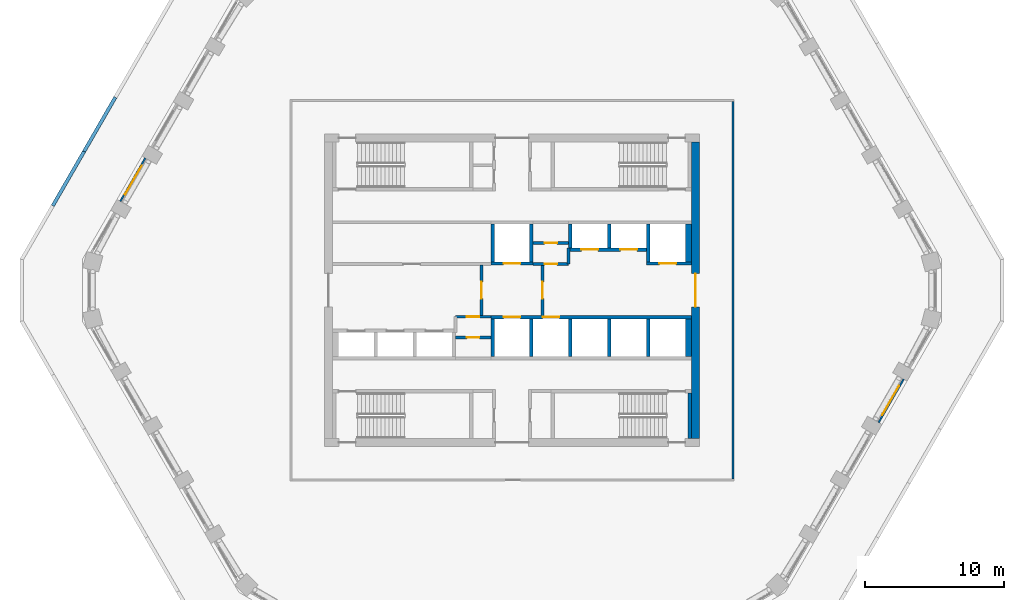
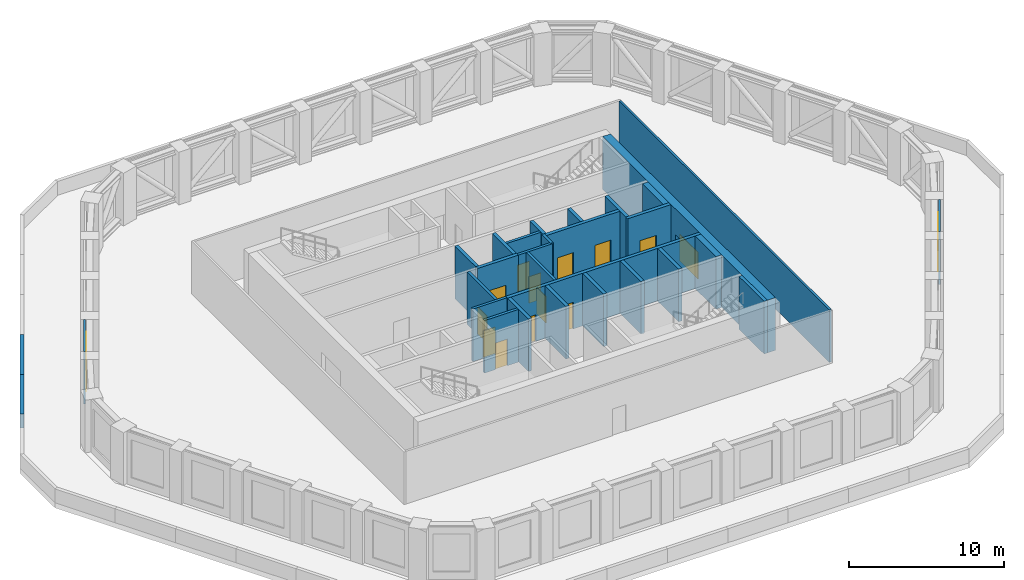
# One storey, part 5 of 14: 30 walls, 13 doors, 2 windows, 15 openings.
"""IFC4 building model written with IfcOpenShell, lengths in metres."""

from ifc_helpers import new_model, si_unit, direction, frame, frame_2d, origin, place, context, subcontext, project, spatial, polyline, rectangle, outline, extrude, material, layer, layer_set, type_object, element, fill, save


model = new_model("IFC4")

# Units and contexts
model_context = context("Model", 3, precision=1e-05, world=origin(), true_north=direction((0.0, 1.0)))
body_context = subcontext(model_context, "Body", "Model", "MODEL_VIEW")
ifc_project = project(units=[si_unit("LENGTHUNIT", "METRE"), si_unit("AREAUNIT", "SQUARE_METRE"), si_unit("VOLUMEUNIT", "CUBIC_METRE"), si_unit("PLANEANGLEUNIT", "RADIAN"), si_unit("MASSUNIT", "GRAM", prefix="KILO")], contexts=[model_context])

# Site, building, storey
site_placement = place(None, origin())
site = spatial("IfcSite", under=ifc_project, at=site_placement, CompositionType="ELEMENT")
building_placement = place(site_placement, origin())
building = spatial("IfcBuilding", under=site, at=building_placement, Name="Dhurran Vertical Campus", CompositionType="ELEMENT")
storey_placement = place(building_placement, frame((0.0, 0.0, 179.39990234375)))
storey = spatial("IfcBuildingStorey", under=building, at=storey_placement, Name="L44 Plant", CompositionType="ELEMENT", Elevation=179.39990234375)

# Wall, opening, window
ifc_material_1 = material(Name="Precast concrete C50/60", Category="concrete")
ifc_layer_1 = layer(ifc_material_1, 0.1201171875)
ifc_layer_set_1 = layer_set([ifc_layer_1], Name="Precast concrete C50/60")
wall_type_1 = type_object("IfcWallType", Name="Precast louvre-bay panel 120", PredefinedType="SOLIDWALL", material=ifc_layer_set_1)
wall_1_placement = place(storey_placement, frame((26.379638671875, -9.513916015625, 0.0), z_axis=(0.0, 0.0, 1.0), x_axis=(0.500027802648, 0.866009351323, 0.0)))
wall_1 = element("IfcWall", 1, at=wall_1_placement, inside=storey, type_object=wall_type_1, Name="EW4 L44.11", PredefinedType="SOLIDWALL", context=body_context, shape_type="SweptSolid", body=[
    extrude(rectangle(XDim=3.598876953125, YDim=0.1201171875, at=frame_2d((1.79931640625, 0.0))), origin(), (0.0, 0.0, 1.0), 4.150146484375),
])
opening_1_placement = place(wall_1_placement, frame((0.599609375, 0.0, 0.60009765625)))
opening_1 = element("IfcOpeningElement", 2, at=opening_1_placement, cuts=wall_1, Name="Opening WT4", PredefinedType="OPENING", context=body_context, shape_type="SweptSolid", body=[
    extrude(rectangle(XDim=2.39990234375, YDim=3.0, at=frame_2d((1.199951171875, 1.5))), frame((0.0, 0.070068359375, 0.0), z_axis=(0.0, -1.0, 0.0), x_axis=(1.0, 0.0, 0.0)), (0.0, 0.0, 1.0), 0.14013671875),
])
ifc_material_2 = material(Name="Aluminium louvre", Category="aluminium")
window_type = type_object("IfcWindowType", Name="Louvred plant vent 2400 x 3000", PartitioningType="SINGLE_PANEL", PredefinedType="WINDOW", material=ifc_material_2)
window_1_placement = place(opening_1_placement, origin())
window_1 = element("IfcWindow", 3, at=window_1_placement, inside=storey, type_object=window_type, Name="WT4 L44.11", OverallHeight=3.0, OverallWidth=2.39990234375, PartitioningType="SINGLE_PANEL", PredefinedType="WINDOW", context=body_context, shape_type="SweptSolid", body=[
    extrude(rectangle(XDim=2.39990234375, YDim=3.0, at=frame_2d((1.199951171875, 1.5))), frame((0.0, 0.06005859375, 0.0), z_axis=(0.0, -1.0, 0.0), x_axis=(1.0, 0.0, 0.0)), (0.0, 0.0, 1.0), 0.02001953125),
])
fill(opening_1, window_1)

wall_2_placement = place(storey_placement, frame((-26.379638671875, 9.513916015625, 0.0), z_axis=(0.0, 0.0, 1.0), x_axis=(-0.500027802648, -0.866009351323, 0.0)))
wall_2 = element("IfcWall", 4, at=wall_2_placement, inside=storey, type_object=wall_type_1, Name="EW4 L44.31", PredefinedType="SOLIDWALL", context=body_context, shape_type="SweptSolid", body=[
    extrude(rectangle(XDim=3.598876953125, YDim=0.1201171875, at=frame_2d((1.79931640625, 0.0))), origin(), (0.0, 0.0, 1.0), 4.150146484375),
])
opening_2_placement = place(wall_2_placement, frame((0.599609375, 0.0, 0.60009765625)))
opening_2 = element("IfcOpeningElement", 5, at=opening_2_placement, cuts=wall_2, Name="Opening WT4", PredefinedType="OPENING", context=body_context, shape_type="SweptSolid", body=[
    extrude(rectangle(XDim=2.39990234375, YDim=3.0, at=frame_2d((1.199951171875, 1.5))), frame((0.0, 0.070068359375, 0.0), z_axis=(0.0, -1.0, 0.0), x_axis=(1.0, 0.0, 0.0)), (0.0, 0.0, 1.0), 0.14013671875),
])
window_2_placement = place(opening_2_placement, origin())
window_2 = element("IfcWindow", 6, at=window_2_placement, inside=storey, type_object=window_type, Name="WT4 L44.31", OverallHeight=3.0, OverallWidth=2.39990234375, PartitioningType="SINGLE_PANEL", PredefinedType="WINDOW", context=body_context, shape_type="SweptSolid", body=[
    extrude(rectangle(XDim=2.39990234375, YDim=3.0, at=frame_2d((1.199951171875, 1.5))), frame((0.0, 0.06005859375, 0.0), z_axis=(0.0, -1.0, 0.0), x_axis=(1.0, 0.0, 0.0)), (0.0, 0.0, 1.0), 0.02001953125),
])
fill(opening_2, window_2)

# Walls
ifc_material_3 = material(Name="Precast concrete C50/60", Category="concrete")
ifc_layer_2 = layer(ifc_material_3, 0.25)
ifc_layer_set_2 = layer_set([ifc_layer_2], Name="Precast concrete C50/60")
wall_type_2 = type_object("IfcWallType", Name="Precast parapet 250", PredefinedType="PARAPET", material=ifc_layer_set_2)
wall_3_placement = place(storey_placement, origin())
element("IfcWall", 7, at=wall_3_placement, inside=storey, type_object=wall_type_2, Name="PW1 L44.35", PredefinedType="PARAPET", context=body_context, shape_type="SweptSolid", body=[
    extrude(outline(polyline([(-28.647216796875, 13.94140625), (-30.897216796875, 10.044189453125), (-30.6806640625, 9.919189453125), (-28.4306640625, 13.81640625), (-28.647216796875, 13.94140625)])), origin(), (0.0, 0.0, 1.0), 1.10009765625),
])
wall_4_placement = place(storey_placement, origin())
element("IfcWall", 8, at=wall_4_placement, inside=storey, type_object=wall_type_2, Name="PW1 L44.36", PredefinedType="PARAPET", context=body_context, shape_type="SweptSolid", body=[
    extrude(outline(polyline([(-30.897216796875, 10.044189453125), (-33.147216796875, 6.147216796875), (-32.9306640625, 6.022216796875), (-30.6806640625, 9.919189453125), (-30.897216796875, 10.044189453125)])), origin(), (0.0, 0.0, 1.0), 1.10009765625),
])

# Wall, opening, door
ifc_material_4 = material(Name="Concrete C50/60", Category="concrete")
ifc_layer_3 = layer(ifc_material_4, 0.60009765625)
ifc_layer_set_3 = layer_set([ifc_layer_3], Name="Concrete C50/60")
wall_type_3 = type_object("IfcWallType", Name="co-CORE-WALL-C2-600", PredefinedType="SHEAR", material=ifc_layer_set_3)
wall_5_placement = place(storey_placement, frame((13.199951171875, -10.64990234375, 0.0), z_axis=(0.0, 0.0, 1.0), x_axis=(0.0, 1.0, 0.0)))
wall_5 = element("IfcWall", 9, at=wall_5_placement, inside=storey, type_object=wall_type_3, Name="Core wall E L44", PredefinedType="SHEAR", context=body_context, shape_type="SweptSolid", body=[
    extrude(rectangle(XDim=21.2998046875, YDim=0.60009765625, at=frame_2d((10.64990234375, 0.0))), origin(), (0.0, 0.0, 1.0), 4.150146484375),
])
opening_3_placement = place(wall_5_placement, frame((9.449951171875, 0.0, 0.0)))
opening_3 = element("IfcOpeningElement", 10, at=opening_3_placement, cuts=wall_5, Name="Opening CL2", PredefinedType="OPENING", context=body_context, shape_type="SweptSolid", body=[
    extrude(rectangle(XDim=2.39990234375, YDim=2.10009765625, at=frame_2d((1.199951171875, 1.050048828125))), frame((0.0, 0.31005859375, 0.0), z_axis=(0.0, -1.0, 0.0), x_axis=(1.0, 0.0, 0.0)), (0.0, 0.0, 1.0), 0.6201171875),
])
ifc_material_5 = material(Name="Fire-rated glazed door set")
door_type_1 = type_object("IfcDoorType", Name="co-D-LOBBY 2400x2100", OperationType="DOUBLE_DOOR_DOUBLE_SWING", PredefinedType="DOOR", material=ifc_material_5)
door_1_placement = place(opening_3_placement, origin())
door_1 = element("IfcDoor", 11, at=door_1_placement, inside=storey, type_object=door_type_1, Name="Lift lobby door E L44", OperationType="DOUBLE_DOOR_DOUBLE_SWING", OverallHeight=2.10009765625, OverallWidth=2.39990234375, PredefinedType="DOOR", context=body_context, shape_type="SweptSolid", body=[
    extrude(rectangle(XDim=2.39990234375, YDim=2.10009765625, at=frame_2d((1.199951171875, 1.050048828125))), frame((0.0, 0.02490234375, 0.0), z_axis=(0.0, -1.0, 0.0), x_axis=(1.0, 0.0, 0.0)), (0.0, 0.0, 1.0), 0.050048828125),
])
fill(opening_3, door_1)

ifc_material_6 = material(Name="Fire-rated masonry blockwork", Category="masonry")
ifc_layer_4 = layer(ifc_material_6, 0.199951171875)
ifc_layer_set_4 = layer_set([ifc_layer_4], Name="Fire-rated masonry blockwork")
wall_type_4 = type_object("IfcWallType", Name="co-FIRE-PARTITION-200", PredefinedType="PARTITIONING", material=ifc_layer_set_4)
wall_6_placement = place(storey_placement, frame((-2.199951171875, -1.800048828125, 0.0), z_axis=(0.0, 0.0, 1.0), x_axis=(0.0, 1.0, 0.0)))
wall_6 = element("IfcWall", 12, at=wall_6_placement, inside=storey, type_object=wall_type_4, Name="Firefighting lobby wall W L44", PredefinedType="PARTITIONING", context=body_context, shape_type="SweptSolid", body=[
    extrude(rectangle(XDim=3.60009765625, YDim=0.199951171875, at=frame_2d((1.800048828125, 0.0))), origin(), (0.0, 0.0, 1.0), 4.150146484375),
])
opening_4_placement = place(wall_6_placement, frame((1.199951171875, 0.0, 0.0)))
opening_4 = element("IfcOpeningElement", 13, at=opening_4_placement, cuts=wall_6, Name="Opening FL1", PredefinedType="OPENING", context=body_context, shape_type="SweptSolid", body=[
    extrude(rectangle(XDim=1.199951171875, YDim=2.10009765625, at=frame_2d((0.60009765625, 1.050048828125))), frame((0.0, 0.10986328125, 0.0), z_axis=(0.0, -1.0, 0.0), x_axis=(1.0, 0.0, 0.0)), (0.0, 0.0, 1.0), 0.219970703125),
])
ifc_material_7 = material(Name="Fire-rated steel door set", Category="steel")
door_type_2 = type_object("IfcDoorType", Name="co-D-FFLOBBY 1200x2100", OperationType="SINGLE_SWING_LEFT", PredefinedType="DOOR", material=ifc_material_7)
door_2_placement = place(opening_4_placement, origin())
door_2 = element("IfcDoor", 14, at=door_2_placement, inside=storey, type_object=door_type_2, Name="Firefighting lobby door W L44", OperationType="SINGLE_SWING_LEFT", OverallHeight=2.10009765625, OverallWidth=1.199951171875, PredefinedType="DOOR", context=body_context, shape_type="SweptSolid", body=[
    extrude(rectangle(XDim=1.199951171875, YDim=2.10009765625, at=frame_2d((0.60009765625, 1.050048828125))), frame((0.0, 0.02490234375, 0.0), z_axis=(0.0, -1.0, 0.0), x_axis=(1.0, 0.0, 0.0)), (0.0, 0.0, 1.0), 0.050048828125),
])
fill(opening_4, door_2)

wall_7_placement = place(storey_placement, frame((2.199951171875, -1.800048828125, 0.0), z_axis=(0.0, 0.0, 1.0), x_axis=(0.0, 1.0, 0.0)))
wall_7 = element("IfcWall", 15, at=wall_7_placement, inside=storey, type_object=wall_type_4, Name="Firefighting lobby wall E L44", PredefinedType="PARTITIONING", context=body_context, shape_type="SweptSolid", body=[
    extrude(rectangle(XDim=3.60009765625, YDim=0.199951171875, at=frame_2d((1.800048828125, 0.0))), origin(), (0.0, 0.0, 1.0), 4.150146484375),
])
opening_5_placement = place(wall_7_placement, frame((1.199951171875, 0.0, 0.0)))
opening_5 = element("IfcOpeningElement", 16, at=opening_5_placement, cuts=wall_7, Name="Opening FL2", PredefinedType="OPENING", context=body_context, shape_type="SweptSolid", body=[
    extrude(rectangle(XDim=1.199951171875, YDim=2.10009765625, at=frame_2d((0.60009765625, 1.050048828125))), frame((0.0, 0.10986328125, 0.0), z_axis=(0.0, -1.0, 0.0), x_axis=(1.0, 0.0, 0.0)), (0.0, 0.0, 1.0), 0.219970703125),
])
door_3_placement = place(opening_5_placement, origin())
door_3 = element("IfcDoor", 17, at=door_3_placement, inside=storey, type_object=door_type_2, Name="Firefighting lobby door E L44", OperationType="SINGLE_SWING_LEFT", OverallHeight=2.10009765625, OverallWidth=1.199951171875, PredefinedType="DOOR", context=body_context, shape_type="SweptSolid", body=[
    extrude(rectangle(XDim=1.199951171875, YDim=2.10009765625, at=frame_2d((0.60009765625, 1.050048828125))), frame((0.0, 0.02490234375, 0.0), z_axis=(0.0, -1.0, 0.0), x_axis=(1.0, 0.0, 0.0)), (0.0, 0.0, 1.0), 0.050048828125),
])
fill(opening_5, door_3)

wall_8_placement = place(storey_placement, frame((1.52490234375, 3.39990234375, 0.0), z_axis=(0.0, 0.0, 1.0), x_axis=(1.0, 0.0, 0.0)))
wall_8 = element("IfcWall", 18, at=wall_8_placement, inside=storey, type_object=wall_type_4, Name="Core partition fr-N1-c L44", PredefinedType="PARTITIONING", context=body_context, shape_type="SweptSolid", body=[
    extrude(rectangle(XDim=2.550048828125, YDim=0.199951171875, at=frame_2d((1.27490234375, 0.0))), origin(), (0.0, 0.0, 1.0), 4.150146484375),
])
opening_6_placement = place(wall_8_placement, frame((0.824951171875, 0.0, 0.0)))
opening_6 = element("IfcOpeningElement", 19, at=opening_6_placement, cuts=wall_8, Name="Opening BR44-C7", PredefinedType="OPENING", context=body_context, shape_type="SweptSolid", body=[
    extrude(rectangle(XDim=0.89990234375, YDim=2.10009765625, at=frame_2d((0.449951171875, 1.050048828125))), frame((0.0, 0.10986328125, 0.0), z_axis=(0.0, -1.0, 0.0), x_axis=(1.0, 0.0, 0.0)), (0.0, 0.0, 1.0), 0.219970703125),
])
ifc_material_8 = material(Name="Fire-rated timber door set", Category="wood")
door_type_3 = type_object("IfcDoorType", Name="co-D-ROOM 900x2100", OperationType="SINGLE_SWING_LEFT", PredefinedType="DOOR", material=ifc_material_8)
door_4_placement = place(opening_6_placement, origin())
door_4 = element("IfcDoor", 20, at=door_4_placement, inside=storey, type_object=door_type_3, Name="Server room door L44", OperationType="SINGLE_SWING_LEFT", OverallHeight=2.10009765625, OverallWidth=0.89990234375, PredefinedType="DOOR", context=body_context, shape_type="SweptSolid", body=[
    extrude(rectangle(XDim=0.89990234375, YDim=2.10009765625, at=frame_2d((0.449951171875, 1.050048828125))), frame((0.0, 0.02490234375, 0.0), z_axis=(0.0, -1.0, 0.0), x_axis=(1.0, 0.0, 0.0)), (0.0, 0.0, 1.0), 0.050048828125),
])
fill(opening_6, door_4)

wall_9_placement = place(storey_placement, frame((1.52490234375, 1.89990234375, 0.0), z_axis=(0.0, 0.0, 1.0), x_axis=(1.0, 0.0, 0.0)))
wall_9 = element("IfcWall", 21, at=wall_9_placement, inside=storey, type_object=wall_type_4, Name="Core partition fr-N1-f L44", PredefinedType="PARTITIONING", context=body_context, shape_type="SweptSolid", body=[
    extrude(rectangle(XDim=2.550048828125, YDim=0.199951171875, at=frame_2d((1.27490234375, 0.0))), origin(), (0.0, 0.0, 1.0), 4.150146484375),
])
opening_7_placement = place(wall_9_placement, frame((0.824951171875, 0.0, 0.0)))
opening_7 = element("IfcOpeningElement", 22, at=opening_7_placement, cuts=wall_9, Name="Opening BR44-C8", PredefinedType="OPENING", context=body_context, shape_type="SweptSolid", body=[
    extrude(rectangle(XDim=0.89990234375, YDim=2.10009765625, at=frame_2d((0.449951171875, 1.050048828125))), frame((0.0, 0.10986328125, 0.0), z_axis=(0.0, -1.0, 0.0), x_axis=(1.0, 0.0, 0.0)), (0.0, 0.0, 1.0), 0.219970703125),
])
door_5_placement = place(opening_7_placement, origin())
door_5 = element("IfcDoor", 23, at=door_5_placement, inside=storey, type_object=door_type_3, Name="Cleaner's store door L44", OperationType="SINGLE_SWING_LEFT", OverallHeight=2.10009765625, OverallWidth=0.89990234375, PredefinedType="DOOR", context=body_context, shape_type="SweptSolid", body=[
    extrude(rectangle(XDim=0.89990234375, YDim=2.10009765625, at=frame_2d((0.449951171875, 1.050048828125))), frame((0.0, 0.02490234375, 0.0), z_axis=(0.0, -1.0, 0.0), x_axis=(1.0, 0.0, 0.0)), (0.0, 0.0, 1.0), 0.050048828125),
])
fill(opening_7, door_5)

# Wall
wall_10_placement = place(storey_placement, frame((4.074951171875, 1.89990234375, 0.0), z_axis=(0.0, 0.0, 1.0), x_axis=(0.0, 1.0, 0.0)))
element("IfcWall", 24, at=wall_10_placement, inside=storey, type_object=wall_type_4, Name="Core partition fr-N1-n1 L44", PredefinedType="PARTITIONING", context=body_context, shape_type="SweptSolid", body=[
    extrude(rectangle(XDim=1.150146484375, YDim=0.199951171875, at=frame_2d((0.5751953125, 0.0))), origin(), (0.0, 0.0, 1.0), 4.150146484375),
])

# Wall, opening, door
wall_11_placement = place(storey_placement, frame((-4.074951171875, -3.39990234375, 0.0), z_axis=(0.0, 0.0, 1.0), x_axis=(1.0, 0.0, 0.0)))
wall_11 = element("IfcWall", 25, at=wall_11_placement, inside=storey, type_object=wall_type_4, Name="Core partition fr-S0-c L44", PredefinedType="PARTITIONING", context=body_context, shape_type="SweptSolid", body=[
    extrude(rectangle(XDim=2.550048828125, YDim=0.199951171875, at=frame_2d((1.27490234375, 0.0))), origin(), (0.0, 0.0, 1.0), 4.150146484375),
])
opening_8_placement = place(wall_11_placement, frame((0.824951171875, 0.0, 0.0)))
opening_8 = element("IfcOpeningElement", 26, at=opening_8_placement, cuts=wall_11, Name="Opening BR44-C9", PredefinedType="OPENING", context=body_context, shape_type="SweptSolid", body=[
    extrude(rectangle(XDim=0.89990234375, YDim=2.10009765625, at=frame_2d((0.449951171875, 1.050048828125))), frame((0.0, 0.10986328125, 0.0), z_axis=(0.0, -1.0, 0.0), x_axis=(1.0, 0.0, 0.0)), (0.0, 0.0, 1.0), 0.219970703125),
])
door_6_placement = place(opening_8_placement, origin())
door_6 = element("IfcDoor", 27, at=door_6_placement, inside=storey, type_object=door_type_3, Name="Communications room door L44", OperationType="SINGLE_SWING_LEFT", OverallHeight=2.10009765625, OverallWidth=0.89990234375, PredefinedType="DOOR", context=body_context, shape_type="SweptSolid", body=[
    extrude(rectangle(XDim=0.89990234375, YDim=2.10009765625, at=frame_2d((0.449951171875, 1.050048828125))), frame((0.0, 0.02490234375, 0.0), z_axis=(0.0, -1.0, 0.0), x_axis=(1.0, 0.0, 0.0)), (0.0, 0.0, 1.0), 0.050048828125),
])
fill(opening_8, door_6)

wall_12_placement = place(storey_placement, frame((-4.074951171875, -1.89990234375, 0.0), z_axis=(0.0, 0.0, 1.0), x_axis=(1.0, 0.0, 0.0)))
wall_12 = element("IfcWall", 28, at=wall_12_placement, inside=storey, type_object=wall_type_4, Name="Core partition fr-S0-f L44", PredefinedType="PARTITIONING", context=body_context, shape_type="SweptSolid", body=[
    extrude(rectangle(XDim=2.550048828125, YDim=0.199951171875, at=frame_2d((1.27490234375, 0.0))), origin(), (0.0, 0.0, 1.0), 4.150146484375),
])
opening_9_placement = place(wall_12_placement, frame((0.824951171875, 0.0, 0.0)))
opening_9 = element("IfcOpeningElement", 29, at=opening_9_placement, cuts=wall_12, Name="Opening BR44-C10", PredefinedType="OPENING", context=body_context, shape_type="SweptSolid", body=[
    extrude(rectangle(XDim=0.89990234375, YDim=2.10009765625, at=frame_2d((0.449951171875, 1.050048828125))), frame((0.0, 0.10986328125, 0.0), z_axis=(0.0, -1.0, 0.0), x_axis=(1.0, 0.0, 0.0)), (0.0, 0.0, 1.0), 0.219970703125),
])
door_7_placement = place(opening_9_placement, origin())
door_7 = element("IfcDoor", 30, at=door_7_placement, inside=storey, type_object=door_type_3, Name="Housekeeping store door L44", OperationType="SINGLE_SWING_LEFT", OverallHeight=2.10009765625, OverallWidth=0.89990234375, PredefinedType="DOOR", context=body_context, shape_type="SweptSolid", body=[
    extrude(rectangle(XDim=0.89990234375, YDim=2.10009765625, at=frame_2d((0.449951171875, 1.050048828125))), frame((0.0, 0.02490234375, 0.0), z_axis=(0.0, -1.0, 0.0), x_axis=(1.0, 0.0, 0.0)), (0.0, 0.0, 1.0), 0.050048828125),
])
fill(opening_9, door_7)

ifc_material_9 = material(Name="Concrete C50/60", Category="concrete")
ifc_layer_5 = layer(ifc_material_9, 0.25)
ifc_layer_set_5 = layer_set([ifc_layer_5], Name="Concrete C50/60")
wall_type_5 = type_object("IfcWallType", Name="co-SHAFT-FRONT-250", PredefinedType="SHEAR", material=ifc_layer_set_5)
wall_13_placement = place(storey_placement, frame((-1.52490234375, 1.925048828125, 0.0), z_axis=(0.0, 0.0, 1.0), x_axis=(1.0, 0.0, 0.0)))
wall_13 = element("IfcWall", 31, at=wall_13_placement, inside=storey, type_object=wall_type_5, Name="Lift landing wall N L44", PredefinedType="SHEAR", context=body_context, shape_type="SweptSolid", body=[
    extrude(rectangle(XDim=3.0498046875, YDim=0.25, at=frame_2d((1.52490234375, 0.0))), origin(), (0.0, 0.0, 1.0), 4.150146484375),
])
opening_10_placement = place(wall_13_placement, frame((0.925048828125, 0.0, 0.0)))
opening_10 = element("IfcOpeningElement", 32, at=opening_10_placement, cuts=wall_13, Name="Opening LD", PredefinedType="OPENING", context=body_context, shape_type="SweptSolid", body=[
    extrude(rectangle(XDim=1.199951171875, YDim=2.10009765625, at=frame_2d((0.60009765625, 1.050048828125))), frame((0.0, 0.135009765625, 0.0), z_axis=(0.0, -1.0, 0.0), x_axis=(1.0, 0.0, 0.0)), (0.0, 0.0, 1.0), 0.27001953125),
])
ifc_material_10 = material(Name="Stainless steel landing door", Category="steel")
door_type_4 = type_object("IfcDoorType", Name="co-D-LANDING 1200x2100", OperationType="DOUBLE_DOOR_SLIDING", PredefinedType="DOOR", material=ifc_material_10)
door_8_placement = place(opening_10_placement, origin())
door_8 = element("IfcDoor", 33, at=door_8_placement, inside=storey, type_object=door_type_4, Name="Landing door FF1 L44", OperationType="DOUBLE_DOOR_SLIDING", OverallHeight=2.10009765625, OverallWidth=1.199951171875, PredefinedType="DOOR", context=body_context, shape_type="SweptSolid", body=[
    extrude(rectangle(XDim=1.199951171875, YDim=2.10009765625, at=frame_2d((0.60009765625, 1.050048828125))), frame((0.0, 0.02490234375, 0.0), z_axis=(0.0, -1.0, 0.0), x_axis=(1.0, 0.0, 0.0)), (0.0, 0.0, 1.0), 0.050048828125),
])
fill(opening_10, door_8)

# Wall, openings, doors
wall_14_placement = place(storey_placement, frame((4.074951171875, 2.925048828125, 0.0), z_axis=(0.0, 0.0, 1.0), x_axis=(1.0, 0.0, 0.0)))
wall_14 = element("IfcWall", 34, at=wall_14_placement, inside=storey, type_object=wall_type_5, Name="Lift landing wall N L44", PredefinedType="SHEAR", context=body_context, shape_type="SweptSolid", body=[
    extrude(rectangle(XDim=5.85009765625, YDim=0.25, at=frame_2d((2.925048828125, 0.0))), origin(), (0.0, 0.0, 1.0), 4.150146484375),
])
opening_11_placement = place(wall_14_placement, frame((0.925048828125, 0.0, 0.0)))
opening_11 = element("IfcOpeningElement", 35, at=opening_11_placement, cuts=wall_14, Name="Opening LD", PredefinedType="OPENING", context=body_context, shape_type="SweptSolid", body=[
    extrude(rectangle(XDim=1.199951171875, YDim=2.10009765625, at=frame_2d((0.60009765625, 1.050048828125))), frame((0.0, 0.135009765625, 0.0), z_axis=(0.0, -1.0, 0.0), x_axis=(1.0, 0.0, 0.0)), (0.0, 0.0, 1.0), 0.27001953125),
])
opening_12_placement = place(wall_14_placement, frame((3.72509765625, 0.0, 0.0)))
opening_12 = element("IfcOpeningElement", 36, at=opening_12_placement, cuts=wall_14, Name="Opening LD", PredefinedType="OPENING", context=body_context, shape_type="SweptSolid", body=[
    extrude(rectangle(XDim=1.199951171875, YDim=2.10009765625, at=frame_2d((0.60009765625, 1.050048828125))), frame((0.0, 0.135009765625, 0.0), z_axis=(0.0, -1.0, 0.0), x_axis=(1.0, 0.0, 0.0)), (0.0, 0.0, 1.0), 0.27001953125),
])
door_9_placement = place(opening_11_placement, origin())
door_9 = element("IfcDoor", 37, at=door_9_placement, inside=storey, type_object=door_type_4, Name="Landing door MR1 L44", OperationType="DOUBLE_DOOR_SLIDING", OverallHeight=2.10009765625, OverallWidth=1.199951171875, PredefinedType="DOOR", context=body_context, shape_type="SweptSolid", body=[
    extrude(rectangle(XDim=1.199951171875, YDim=2.10009765625, at=frame_2d((0.60009765625, 1.050048828125))), frame((0.0, 0.02490234375, 0.0), z_axis=(0.0, -1.0, 0.0), x_axis=(1.0, 0.0, 0.0)), (0.0, 0.0, 1.0), 0.050048828125),
])
fill(opening_11, door_9)
door_10_placement = place(opening_12_placement, origin())
door_10 = element("IfcDoor", 38, at=door_10_placement, inside=storey, type_object=door_type_4, Name="Landing door MR2 L44", OperationType="DOUBLE_DOOR_SLIDING", OverallHeight=2.10009765625, OverallWidth=1.199951171875, PredefinedType="DOOR", context=body_context, shape_type="SweptSolid", body=[
    extrude(rectangle(XDim=1.199951171875, YDim=2.10009765625, at=frame_2d((0.60009765625, 1.050048828125))), frame((0.0, 0.02490234375, 0.0), z_axis=(0.0, -1.0, 0.0), x_axis=(1.0, 0.0, 0.0)), (0.0, 0.0, 1.0), 0.050048828125),
])
fill(opening_12, door_10)

# Wall, opening, door
wall_15_placement = place(storey_placement, frame((9.675048828125, 1.925048828125, 0.0), z_axis=(0.0, 0.0, 1.0), x_axis=(1.0, 0.0, 0.0)))
wall_15 = element("IfcWall", 39, at=wall_15_placement, inside=storey, type_object=wall_type_5, Name="Lift landing wall N L44", PredefinedType="SHEAR", context=body_context, shape_type="SweptSolid", body=[
    extrude(rectangle(XDim=3.224853515625, YDim=0.25, at=frame_2d((1.6123046875, 0.0))), origin(), (0.0, 0.0, 1.0), 4.150146484375),
])
opening_13_placement = place(wall_15_placement, frame((0.925048828125, 0.0, 0.0)))
opening_13 = element("IfcOpeningElement", 40, at=opening_13_placement, cuts=wall_15, Name="Opening LD", PredefinedType="OPENING", context=body_context, shape_type="SweptSolid", body=[
    extrude(rectangle(XDim=1.199951171875, YDim=2.10009765625, at=frame_2d((0.60009765625, 1.050048828125))), frame((0.0, 0.135009765625, 0.0), z_axis=(0.0, -1.0, 0.0), x_axis=(1.0, 0.0, 0.0)), (0.0, 0.0, 1.0), 0.27001953125),
])
door_11_placement = place(opening_13_placement, origin())
door_11 = element("IfcDoor", 41, at=door_11_placement, inside=storey, type_object=door_type_4, Name="Landing door SV2 L44", OperationType="DOUBLE_DOOR_SLIDING", OverallHeight=2.10009765625, OverallWidth=1.199951171875, PredefinedType="DOOR", context=body_context, shape_type="SweptSolid", body=[
    extrude(rectangle(XDim=1.199951171875, YDim=2.10009765625, at=frame_2d((0.60009765625, 1.050048828125))), frame((0.0, 0.02490234375, 0.0), z_axis=(0.0, -1.0, 0.0), x_axis=(1.0, 0.0, 0.0)), (0.0, 0.0, 1.0), 0.050048828125),
])
fill(opening_13, door_11)

# Wall, openings, doors
wall_16_placement = place(storey_placement, frame((-1.52490234375, -1.925048828125, 0.0), z_axis=(0.0, 0.0, 1.0), x_axis=(1.0, 0.0, 0.0)))
wall_16 = element("IfcWall", 42, at=wall_16_placement, inside=storey, type_object=wall_type_5, Name="Lift landing wall S L44", PredefinedType="SHEAR", context=body_context, shape_type="SweptSolid", body=[
    extrude(rectangle(XDim=14.4248046875, YDim=0.25, at=frame_2d((7.21240234375, 0.0))), origin(), (0.0, 0.0, 1.0), 4.150146484375),
])
opening_14_placement = place(wall_16_placement, frame((0.925048828125, 0.0, 0.0)))
opening_14 = element("IfcOpeningElement", 43, at=opening_14_placement, cuts=wall_16, Name="Opening LD", PredefinedType="OPENING", context=body_context, shape_type="SweptSolid", body=[
    extrude(rectangle(XDim=1.199951171875, YDim=2.10009765625, at=frame_2d((0.60009765625, 1.050048828125))), frame((0.0, 0.135009765625, 0.0), z_axis=(0.0, -1.0, 0.0), x_axis=(1.0, 0.0, 0.0)), (0.0, 0.0, 1.0), 0.27001953125),
])
opening_15_placement = place(wall_16_placement, frame((3.72509765625, 0.0, 0.0)))
opening_15 = element("IfcOpeningElement", 44, at=opening_15_placement, cuts=wall_16, Name="Opening LD", PredefinedType="OPENING", context=body_context, shape_type="SweptSolid", body=[
    extrude(rectangle(XDim=1.199951171875, YDim=2.10009765625, at=frame_2d((0.60009765625, 1.050048828125))), frame((0.0, 0.135009765625, 0.0), z_axis=(0.0, -1.0, 0.0), x_axis=(1.0, 0.0, 0.0)), (0.0, 0.0, 1.0), 0.27001953125),
])
door_12_placement = place(opening_14_placement, origin())
door_12 = element("IfcDoor", 45, at=door_12_placement, inside=storey, type_object=door_type_4, Name="Landing door FF2 L44", OperationType="DOUBLE_DOOR_SLIDING", OverallHeight=2.10009765625, OverallWidth=1.199951171875, PredefinedType="DOOR", context=body_context, shape_type="SweptSolid", body=[
    extrude(rectangle(XDim=1.199951171875, YDim=2.10009765625, at=frame_2d((0.60009765625, 1.050048828125))), frame((0.0, 0.02490234375, 0.0), z_axis=(0.0, -1.0, 0.0), x_axis=(1.0, 0.0, 0.0)), (0.0, 0.0, 1.0), 0.050048828125),
])
fill(opening_14, door_12)
door_13_placement = place(opening_15_placement, origin())
door_13 = element("IfcDoor", 46, at=door_13_placement, inside=storey, type_object=door_type_4, Name="Landing door SV1 L44", OperationType="DOUBLE_DOOR_SLIDING", OverallHeight=2.10009765625, OverallWidth=1.199951171875, PredefinedType="DOOR", context=body_context, shape_type="SweptSolid", body=[
    extrude(rectangle(XDim=1.199951171875, YDim=2.10009765625, at=frame_2d((0.60009765625, 1.050048828125))), frame((0.0, 0.02490234375, 0.0), z_axis=(0.0, -1.0, 0.0), x_axis=(1.0, 0.0, 0.0)), (0.0, 0.0, 1.0), 0.050048828125),
])
fill(opening_15, door_13)

# Walls
ifc_material_11 = material(Name="Concrete C50/60", Category="concrete")
ifc_layer_6 = layer(ifc_material_11, 0.25)
ifc_layer_set_6 = layer_set([ifc_layer_6], Name="Concrete C50/60")
wall_type_6 = type_object("IfcWallType", Name="co-SHAFT-MASS-250", PredefinedType="SHEAR", material=ifc_layer_set_6)
wall_17_placement = place(storey_placement, origin())
element("IfcWall", 47, at=wall_17_placement, inside=storey, type_object=wall_type_6, Name="Lift shaft wall N L44 3", PredefinedType="SHEAR", context=body_context, shape_type="SweptSolid", body=[
    extrude(outline(polyline([(-1.52490234375, 2.050048828125), (-1.27490234375, 2.050048828125), (-1.27490234375, 4.75), (-1.52490234375, 4.75), (-1.52490234375, 2.050048828125)])), origin(), (0.0, 0.0, 1.0), 4.150146484375),
])
wall_18_placement = place(storey_placement, origin())
element("IfcWall", 48, at=wall_18_placement, inside=storey, type_object=wall_type_6, Name="Lift shaft wall N L44 4", PredefinedType="SHEAR", context=body_context, shape_type="SweptSolid", body=[
    extrude(outline(polyline([(1.27490234375, 2.050048828125), (1.52490234375, 2.050048828125), (1.52490234375, 4.75), (1.27490234375, 4.75), (1.27490234375, 2.050048828125)])), origin(), (0.0, 0.0, 1.0), 4.150146484375),
])
wall_19_placement = place(storey_placement, origin())
element("IfcWall", 49, at=wall_19_placement, inside=storey, type_object=wall_type_6, Name="Lift shaft wall N L44 5", PredefinedType="SHEAR", context=body_context, shape_type="SweptSolid", body=[
    extrude(outline(polyline([(9.675048828125, 2.050048828125), (9.925048828125, 2.050048828125), (9.925048828125, 4.75), (9.675048828125, 4.75), (9.675048828125, 2.050048828125)])), origin(), (0.0, 0.0, 1.0), 4.150146484375),
])
wall_20_placement = place(storey_placement, origin())
element("IfcWall", 50, at=wall_20_placement, inside=storey, type_object=wall_type_6, Name="Lift shaft wall N L44 6", PredefinedType="SHEAR", context=body_context, shape_type="SweptSolid", body=[
    extrude(outline(polyline([(12.47509765625, 2.050048828125), (12.89990234375, 2.050048828125), (12.89990234375, 4.75), (12.47509765625, 4.75), (12.47509765625, 2.050048828125)])), origin(), (0.0, 0.0, 1.0), 4.150146484375),
])
wall_21_placement = place(storey_placement, origin())
element("IfcWall", 51, at=wall_21_placement, inside=storey, type_object=wall_type_6, Name="Lift shaft wall N L44 7", PredefinedType="SHEAR", context=body_context, shape_type="SweptSolid", body=[
    extrude(outline(polyline([(4.074951171875, 3.050048828125), (4.324951171875, 3.050048828125), (4.324951171875, 4.75), (4.074951171875, 4.75), (4.074951171875, 3.050048828125)])), origin(), (0.0, 0.0, 1.0), 4.150146484375),
])
wall_22_placement = place(storey_placement, origin())
element("IfcWall", 52, at=wall_22_placement, inside=storey, type_object=wall_type_6, Name="Lift shaft wall N L44 8", PredefinedType="SHEAR", context=body_context, shape_type="SweptSolid", body=[
    extrude(outline(polyline([(6.875, 3.050048828125), (7.125, 3.050048828125), (7.125, 4.75), (6.875, 4.75), (6.875, 3.050048828125)])), origin(), (0.0, 0.0, 1.0), 4.150146484375),
])
wall_23_placement = place(storey_placement, origin())
element("IfcWall", 53, at=wall_23_placement, inside=storey, type_object=wall_type_6, Name="Lift shaft wall S L44 7", PredefinedType="SHEAR", context=body_context, shape_type="SweptSolid", body=[
    extrude(outline(polyline([(-1.52490234375, -4.75), (-1.27490234375, -4.75), (-1.27490234375, -2.050048828125), (-1.52490234375, -2.050048828125), (-1.52490234375, -4.75)])), origin(), (0.0, 0.0, 1.0), 4.150146484375),
])
wall_24_placement = place(storey_placement, origin())
element("IfcWall", 54, at=wall_24_placement, inside=storey, type_object=wall_type_6, Name="Lift shaft wall S L44 8", PredefinedType="SHEAR", context=body_context, shape_type="SweptSolid", body=[
    extrude(outline(polyline([(1.27490234375, -4.75), (1.52490234375, -4.75), (1.52490234375, -2.050048828125), (1.27490234375, -2.050048828125), (1.27490234375, -4.75)])), origin(), (0.0, 0.0, 1.0), 4.150146484375),
])
wall_25_placement = place(storey_placement, origin())
element("IfcWall", 55, at=wall_25_placement, inside=storey, type_object=wall_type_6, Name="Lift shaft wall S L44 9", PredefinedType="SHEAR", context=body_context, shape_type="SweptSolid", body=[
    extrude(outline(polyline([(4.074951171875, -4.75), (4.324951171875, -4.75), (4.324951171875, -2.050048828125), (4.074951171875, -2.050048828125), (4.074951171875, -4.75)])), origin(), (0.0, 0.0, 1.0), 4.150146484375),
])
wall_26_placement = place(storey_placement, origin())
element("IfcWall", 56, at=wall_26_placement, inside=storey, type_object=wall_type_6, Name="Lift shaft wall S L44 10", PredefinedType="SHEAR", context=body_context, shape_type="SweptSolid", body=[
    extrude(outline(polyline([(6.875, -4.75), (7.125, -4.75), (7.125, -2.050048828125), (6.875, -2.050048828125), (6.875, -4.75)])), origin(), (0.0, 0.0, 1.0), 4.150146484375),
])
wall_27_placement = place(storey_placement, origin())
element("IfcWall", 57, at=wall_27_placement, inside=storey, type_object=wall_type_6, Name="Lift shaft wall S L44 11", PredefinedType="SHEAR", context=body_context, shape_type="SweptSolid", body=[
    extrude(outline(polyline([(9.675048828125, -4.75), (9.925048828125, -4.75), (9.925048828125, -2.050048828125), (9.675048828125, -2.050048828125), (9.675048828125, -4.75)])), origin(), (0.0, 0.0, 1.0), 4.150146484375),
])
wall_28_placement = place(storey_placement, origin())
element("IfcWall", 58, at=wall_28_placement, inside=storey, type_object=wall_type_6, Name="Lift shaft wall S L44 12", PredefinedType="SHEAR", context=body_context, shape_type="SweptSolid", body=[
    extrude(outline(polyline([(12.47509765625, -4.75), (12.89990234375, -4.75), (12.89990234375, -2.050048828125), (12.47509765625, -2.050048828125), (12.47509765625, -4.75)])), origin(), (0.0, 0.0, 1.0), 4.150146484375),
])
ifc_material_12 = material(Name="Concrete C40/50", Category="concrete")
ifc_layer_7 = layer(ifc_material_12, 0.25)
ifc_layer_set_7 = layer_set([ifc_layer_7], Name="Concrete C40/50")
wall_type_7 = type_object("IfcWallType", Name="co-STAIR-WALL-250", PredefinedType="SHEAR", material=ifc_layer_set_7)
wall_29_placement = place(storey_placement, frame((12.77490234375, -10.64990234375, 0.0), z_axis=(0.0, 0.0, 1.0), x_axis=(0.0, 1.0, 0.0)))
element("IfcWall", 59, at=wall_29_placement, inside=storey, type_object=wall_type_7, Name="Stair ST4 enclosure wall L44", PredefinedType="SHEAR", context=body_context, shape_type="SweptSolid", body=[
    extrude(rectangle(XDim=3.25, YDim=0.25, at=frame_2d((1.625, 0.0))), origin(), (0.0, 0.0, 1.0), 4.150146484375),
])
ifc_material_13 = material(Name="Gypsum board corridor wall on steel studs", Category="steel")
ifc_layer_8 = layer(ifc_material_13, 0.14990234375)
ifc_layer_set_8 = layer_set([ifc_layer_8], Name="Gypsum board corridor wall on steel studs")
wall_type_8 = type_object("IfcWallType", Name="fl-CW-150 corridor wall", PredefinedType="PARTITIONING", material=ifc_layer_set_8)
wall_30_placement = place(storey_placement, frame((15.89990234375, -13.574951171875, 0.0), z_axis=(0.0, 0.0, 1.0), x_axis=(0.0, 1.0, 0.0)))
element("IfcWall", 60, at=wall_30_placement, inside=storey, type_object=wall_type_8, Name="Partition 44-04", PredefinedType="PARTITIONING", context=body_context, shape_type="SweptSolid", body=[
    extrude(rectangle(XDim=27.14990234375, YDim=0.14990234375, at=frame_2d((13.574951171875, 0.0))), origin(), (0.0, 0.0, 1.0), 4.150146484375),
])

save(model, "model.ifc")
